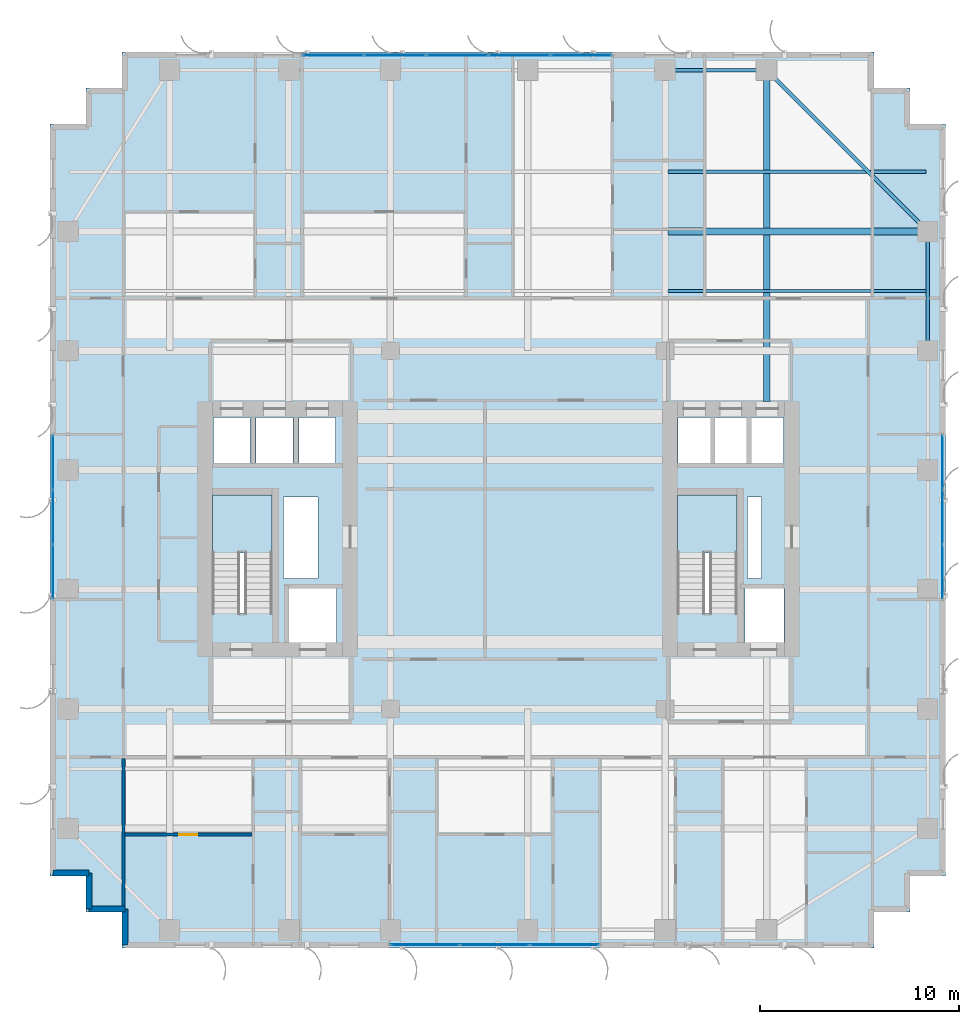
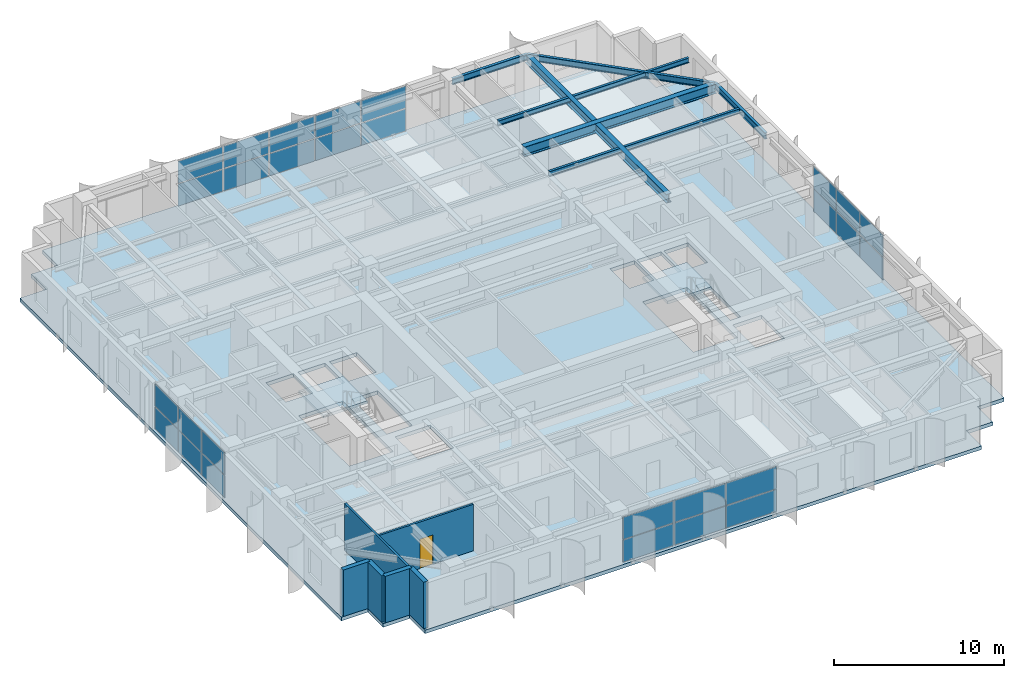
# One storey, part 12 of 22: 28 plates, 7 beams, 6 walls, 3 slabs, 1 door, 1 opening, 6 elements without a shape of their own.
"""IFC4 building model written with IfcOpenShell, lengths in metres."""

from ifc_helpers import new_model, si_unit, direction, frame, frame_2d, origin, origin_2d, place, context, subcontext, project, spatial, polyline, rectangle, i_section, outline, extrude, source, transform, mapped, material, layer, layer_set, material_profile, profile_set, type_object, element, fill, aggregate, save


model = new_model("IFC4")

# Units and contexts
model_context = context("Model", 3, precision=1e-05, world=origin(), true_north=direction((0.0, 1.0)))
body_context = subcontext(model_context, "Body", "Model", "MODEL_VIEW")
ifc_project = project(units=[si_unit("LENGTHUNIT", "METRE"), si_unit("AREAUNIT", "SQUARE_METRE"), si_unit("VOLUMEUNIT", "CUBIC_METRE"), si_unit("PLANEANGLEUNIT", "RADIAN"), si_unit("MASSUNIT", "GRAM", prefix="KILO")], contexts=[model_context])

# Site, building, storey
site_placement = place(None, origin())
site = spatial("IfcSite", under=ifc_project, at=site_placement, CompositionType="ELEMENT")
building_placement = place(site_placement, origin())
building = spatial("IfcBuilding", under=site, at=building_placement, Name="Khoralis Quay Care Tower", CompositionType="ELEMENT")
storey_placement = place(building_placement, frame((0.0, 0.0, 98.10009765625)))
storey = spatial("IfcBuildingStorey", under=building, at=storey_placement, Name="L25", CompositionType="ELEMENT", Elevation=98.10009765625)

# Beams
ifc_material_1 = material(Name="Steel S355", Category="steel")
ifc_material_profile_1 = material_profile(ifc_material_1, i_section(OverallWidth=0.18994140625, OverallDepth=0.449951171875, WebThickness=0.009521484375, FlangeThickness=0.0146484375, FilletRadius=0.02099609375, at=origin_2d()), Name="Steel S355")
ifc_profile_set_1 = profile_set([ifc_material_profile_1], Name="Steel S355")
beam_type_1 = type_object("IfcBeamType", Name="BM-IPE450", PredefinedType="SPANDREL", material=ifc_profile_set_1)
shared_shape_1 = source(origin(), body_context, "Body", "SweptSolid", [
    extrude(i_section(OverallWidth=0.18994140625, OverallDepth=0.449951171875, WebThickness=0.009521484375, FlangeThickness=0.0146484375, FilletRadius=0.02099609375, at=origin_2d()), origin(), (0.0, 0.0, 1.0), 6.0),
])
beam_1_placement = place(storey_placement, frame((44.10009765625, 30.0, 3.114990234375), z_axis=(0.0, 1.0, 0.0), x_axis=(-1.0, 0.0, 0.0)))
element("IfcBeam", 1, at=beam_1_placement, inside=storey, type_object=beam_type_1, Name="BM-TSP-L25-20", PredefinedType="SPANDREL", context=body_context, shape_type="MappedRepresentation", body=[
    mapped(shared_shape_1, transform((0.0, 0.0, 0.0), scale=1.0)),
])
shared_shape_2 = source(origin(), body_context, "Body", "SweptSolid", [
    extrude(i_section(OverallWidth=0.18994140625, OverallDepth=0.449951171875, WebThickness=0.009521484375, FlangeThickness=0.0146484375, FilletRadius=0.02099609375, at=origin_2d()), origin(), (0.0, 0.0, 1.0), 5.10009765625),
])
beam_2_placement = place(storey_placement, frame((30.89990234375, 44.10009765625, 3.114990234375), z_axis=(1.0, 0.0, 0.0), x_axis=(0.0, 1.0, 0.0)))
element("IfcBeam", 2, at=beam_2_placement, inside=storey, type_object=beam_type_1, Name="BM-TSP-L25-10", PredefinedType="SPANDREL", context=body_context, shape_type="MappedRepresentation", body=[
    mapped(shared_shape_2, transform((0.0, 0.0, 0.0), scale=1.0)),
])
shared_shape_3 = source(origin(), body_context, "Body", "SweptSolid", [
    extrude(i_section(OverallWidth=0.18994140625, OverallDepth=0.449951171875, WebThickness=0.009521484375, FlangeThickness=0.0146484375, FilletRadius=0.02099609375, at=origin_2d()), origin(), (0.0, 0.0, 1.0), 11.455322265625),
])
beam_3_placement = place(storey_placement, frame((36.0, 44.10009765625, 3.114990234375), z_axis=(0.707106781187, -0.707106781187, 0.0), x_axis=(0.707106781187, 0.707106781187, 0.0)))
element("IfcBeam", 3, at=beam_3_placement, inside=storey, type_object=beam_type_1, Name="BM-TCR-L25-24", PredefinedType="SPANDREL", context=body_context, shape_type="MappedRepresentation", body=[
    mapped(shared_shape_3, transform((0.0, 0.0, 0.0), scale=1.0)),
])
ifc_material_profile_2 = material_profile(ifc_material_1, i_section(OverallWidth=0.35498046875, OverallDepth=0.695068359375, WebThickness=0.015380859375, FlangeThickness=0.02490234375, FilletRadius=0.02001953125, at=origin_2d()), Name="Steel S355")
ifc_profile_set_2 = profile_set([ifc_material_profile_2], Name="Steel S355")
beam_type_2 = type_object("IfcBeamType", Name="BM-W690X217", PredefinedType="BEAM", material=ifc_profile_set_2)
shared_shape_4 = source(origin(), body_context, "Body", "SweptSolid", [
    extrude(i_section(OverallWidth=0.35498046875, OverallDepth=0.695068359375, WebThickness=0.015380859375, FlangeThickness=0.02490234375, FilletRadius=0.02001953125, at=origin_2d()), origin(), (0.0, 0.0, 1.0), 13.049560546875),
])
beam_4_placement = place(storey_placement, frame((31.050537109375, 36.0, 2.992431640625), z_axis=(1.0, 0.0, 0.0), x_axis=(0.0, 1.0, 0.0)))
element("IfcBeam", 4, at=beam_4_placement, inside=storey, type_object=beam_type_2, Name="BM-TGXE-L25-360", PredefinedType="BEAM", context=body_context, shape_type="MappedRepresentation", body=[
    mapped(shared_shape_4, transform((0.0, 0.0, 0.0), scale=1.0)),
])
ifc_material_profile_3 = material_profile(ifc_material_1, i_section(OverallWidth=0.324951171875, OverallDepth=0.615966796875, WebThickness=0.013916015625, FlangeThickness=0.021484375, FilletRadius=0.01806640625, at=origin_2d()), Name="Steel S355")
ifc_profile_set_3 = profile_set([ifc_material_profile_3], Name="Steel S355")
beam_type_3 = type_object("IfcBeamType", Name="BM-W610X174", PredefinedType="BEAM", material=ifc_profile_set_3)
shared_shape_5 = source(origin(), body_context, "Body", "SweptSolid", [
    extrude(i_section(OverallWidth=0.324951171875, OverallDepth=0.615966796875, WebThickness=0.013916015625, FlangeThickness=0.021484375, FilletRadius=0.01806640625, at=origin_2d()), origin(), (0.0, 0.0, 1.0), 16.652099609375),
])
beam_5_placement = place(storey_placement, frame((36.0, 27.447998046875, 3.031982421875), z_axis=(0.0, 1.0, 0.0), x_axis=(-1.0, 0.0, 0.0)))
element("IfcBeam", 5, at=beam_5_placement, inside=storey, type_object=beam_type_3, Name="BM-TGYN-L25-360", PredefinedType="BEAM", context=body_context, shape_type="MappedRepresentation", body=[
    mapped(shared_shape_5, transform((0.0, 0.0, 0.0), scale=1.0)),
])
ifc_material_profile_4 = material_profile(ifc_material_1, i_section(OverallWidth=0.1708984375, OverallDepth=0.35498046875, WebThickness=0.007080078125, FlangeThickness=0.01171875, FilletRadius=0.012939453125, at=origin_2d()), Name="Steel S355")
ifc_profile_set_4 = profile_set([ifc_material_profile_4], Name="Steel S355")
beam_type_4 = type_object("IfcBeamType", Name="BM-W360X51", PredefinedType="JOIST", material=ifc_profile_set_4)
shared_shape_6 = source(origin(), body_context, "Body", "SweptSolid", [
    extrude(i_section(OverallWidth=0.1708984375, OverallDepth=0.35498046875, WebThickness=0.007080078125, FlangeThickness=0.01171875, FilletRadius=0.012939453125, at=origin_2d()), origin(), (0.0, 0.0, 1.0), 12.968505859375),
])
for number, where, z_axis, x_axis, name in (
    (6, (31.050537109375, 33.0, 3.162353515625), (1.0, 0.0, 0.0), (0.0, 1.0, 0.0), "BM-TJS-L25-29"),
    (7, (31.050537109375, 39.0, 3.162353515625), (1.0, 0.0, 0.0), (0.0, 1.0, 0.0), "BM-TJS-L25-32"),
):
    element("IfcBeam", number, at=place(storey_placement, frame(where, z_axis=z_axis, x_axis=x_axis)), inside=storey, type_object=beam_type_4, Name=name, PredefinedType="JOIST", context=body_context, shape_type="MappedRepresentation", body=[
        mapped(shared_shape_6, transform((0.0, 0.0, 0.0), scale=1.0)),
    ])

# Stair, slab
ifc_material_2 = material(Name="Precast concrete C45/55", Category="concrete")
stair_type = type_object("IfcStairType", Name="ST-TWR-DOGLEG-1400", PredefinedType="HALF_TURN_STAIR", material=ifc_material_2)
stair_1_placement = place(storey_placement, origin())
stair_1 = element("IfcStair", 8, at=stair_1_placement, inside=storey, type_object=stair_type, Name="L25 West Core Exit Stair ST-T1", PredefinedType="HALF_TURN_STAIR")
ifc_layer_1 = layer(ifc_material_2, 0.199951171875)
ifc_layer_set_1 = layer_set([ifc_layer_1], Name="Precast concrete C45/55")
slab_type_1 = type_object("IfcSlabType", Name="SLB-LANDING-200", PredefinedType="LANDING", material=ifc_layer_set_1)
slab_1_placement = place(storey_placement, frame((0.0, 0.0, 1.599853515625)))
slab_1 = element("IfcSlab", 9, at=slab_1_placement, type_object=slab_type_1, Name="ST-T1 landing 1", PredefinedType="LANDING", context=body_context, shape_type="SweptSolid", body=[
    extrude(outline(polyline([(11.14990234375, 19.840087890625), (11.14990234375, 22.75), (8.14990234375, 22.75), (8.14990234375, 19.840087890625), (11.14990234375, 19.840087890625)])), origin(), (0.0, 0.0, 1.0), 0.199951171875),
])
aggregate(stair_1, [slab_1])

stair_2_placement = place(storey_placement, origin())
stair_2 = element("IfcStair", 10, at=stair_2_placement, inside=storey, type_object=stair_type, Name="L25 East Core Exit Stair ST-T2", PredefinedType="HALF_TURN_STAIR")
slab_2_placement = place(storey_placement, frame((0.0, 0.0, 1.599853515625)))
slab_2 = element("IfcSlab", 11, at=slab_2_placement, type_object=slab_type_1, Name="ST-T2 landing 1", PredefinedType="LANDING", context=body_context, shape_type="SweptSolid", body=[
    extrude(outline(polyline([(34.52001953125, 19.840087890625), (34.52001953125, 22.75), (31.52001953125, 22.75), (31.52001953125, 19.840087890625), (34.52001953125, 19.840087890625)])), origin(), (0.0, 0.0, 1.0), 0.199951171875),
])
aggregate(stair_2, [slab_2])

# Slab
ifc_material_3 = material(Name="Concrete C40/50", Category="concrete")
ifc_layer_2 = layer(ifc_material_3, 0.260009765625)
ifc_layer_set_2 = layer_set([ifc_layer_2], Name="Concrete C40/50")
slab_type_2 = type_object("IfcSlabType", Name="SLB-TWR-260", PredefinedType="FLOOR", material=ifc_layer_set_2)
slab_3_placement = place(storey_placement, frame((0.0, 0.0, -0.260009765625)))
element("IfcSlab", 12, at=slab_3_placement, inside=storey, type_object=slab_type_2, Name="Tower Floor Slab L25", PredefinedType="FLOOR", context=body_context, shape_type="SweptSolid", body=[
    extrude(outline(polyline([(3.60009765625, 0.0), (41.39990234375, 0.0), (41.39990234375, 1.800048828125), (43.199951171875, 1.800048828125), (43.199951171875, 3.60009765625), (45.0, 3.60009765625), (45.0, 41.39990234375), (43.199951171875, 41.39990234375), (43.199951171875, 43.199951171875), (41.39990234375, 43.199951171875), (41.39990234375, 45.0), (3.60009765625, 45.0), (3.60009765625, 43.199951171875), (1.800048828125, 43.199951171875), (1.800048828125, 41.39990234375), (0.0, 41.39990234375), (0.0, 3.60009765625), (1.800048828125, 3.60009765625), (1.800048828125, 1.800048828125), (3.60009765625, 1.800048828125), (3.60009765625, 0.0)]), holes=[polyline([(11.14990234375, 16.800048828125), (11.14990234375, 22.75), (8.14990234375, 22.75), (8.14990234375, 16.800048828125), (11.14990234375, 16.800048828125)]), polyline([(34.52001953125, 16.800048828125), (34.52001953125, 22.75), (31.52001953125, 22.75), (31.52001953125, 16.800048828125), (34.52001953125, 16.800048828125)]), polyline([(12.0, 15.35009765625), (14.39990234375, 15.35009765625), (14.39990234375, 18.050048828125), (12.0, 18.050048828125), (12.0, 15.35009765625)]), polyline([(34.919921875, 15.35009765625), (36.8798828125, 15.35009765625), (36.8798828125, 18.050048828125), (34.919921875, 18.050048828125), (34.919921875, 15.35009765625)]), polyline([(8.199951171875, 24.35009765625), (10.050048828125, 24.35009765625), (10.050048828125, 26.64990234375), (8.199951171875, 26.64990234375), (8.199951171875, 24.35009765625)]), polyline([(31.550048828125, 24.35009765625), (33.199951171875, 24.35009765625), (33.199951171875, 26.64990234375), (31.550048828125, 26.64990234375), (31.550048828125, 24.35009765625)]), polyline([(10.35009765625, 24.35009765625), (12.199951171875, 24.35009765625), (12.199951171875, 26.64990234375), (10.35009765625, 26.64990234375), (10.35009765625, 24.35009765625)]), polyline([(33.3798828125, 24.35009765625), (35.030029296875, 24.35009765625), (35.030029296875, 26.64990234375), (33.3798828125, 26.64990234375), (33.3798828125, 24.35009765625)]), polyline([(12.5, 24.35009765625), (14.35009765625, 24.35009765625), (14.35009765625, 26.64990234375), (12.5, 26.64990234375), (12.5, 24.35009765625)]), polyline([(35.199951171875, 24.35009765625), (36.85009765625, 24.35009765625), (36.85009765625, 26.64990234375), (35.199951171875, 26.64990234375), (35.199951171875, 24.35009765625)]), polyline([(11.719970703125, 18.550048828125), (13.449951171875, 18.550048828125), (13.449951171875, 22.64990234375), (11.719970703125, 22.64990234375), (11.719970703125, 18.550048828125)]), polyline([(35.050048828125, 18.550048828125), (35.75, 18.550048828125), (35.75, 22.64990234375), (35.050048828125, 22.64990234375), (35.050048828125, 18.550048828125)])]), origin(), (0.0, 0.0, 1.0), 0.260009765625),
])

# Curtain wall, plates
ifc_material_4 = material(Name="Pale anodised aluminium", Category="aluminium")
ifc_layer_3 = layer(ifc_material_4, 0.169921875)
ifc_layer_set_3 = layer_set([ifc_layer_3], Name="Pale anodised aluminium")
curtain_wall_type = type_object("IfcCurtainWallType", Name="CW-SYS-Z2", PredefinedType="NOTDEFINED", material=ifc_layer_set_3)
curtain_wall_1_placement = place(storey_placement, origin())
curtain_wall_1 = element("IfcCurtainWall", 13, at=curtain_wall_1_placement, inside=storey, type_object=curtain_wall_type, Name="L25 Unitised Curtain Wall CW-L25-P1-E5", PredefinedType="NOTDEFINED")
ifc_material_5 = material(Name="Low-E solar-control double glazing", Category="glass")
ifc_layer_4 = layer(ifc_material_5, 0.031982421875)
ifc_layer_set_4 = layer_set([ifc_layer_4], Name="Low-E solar-control double glazing")
plate_type = type_object("IfcPlateType", Name="PNL-VIS-32", PredefinedType="CURTAIN_PANEL", material=ifc_layer_set_4)
shared_shape_7 = source(origin(), body_context, "Body", "SweptSolid", [
    extrude(rectangle(XDim=2.6767578125, YDim=0.028076171875, at=origin_2d()), origin(), (0.0, 0.0, 1.0), 1.580078125),
])
plate_1_placement = place(storey_placement, frame((44.85009765625, 18.8984375, 0.059814453125), z_axis=(0.0, 0.0, 1.0), x_axis=(0.0, 1.0, 0.0)))
plate_1 = element("IfcPlate", 14, at=plate_1_placement, type_object=plate_type, Name="CW2 panel 1.1", PredefinedType="CURTAIN_PANEL", context=body_context, shape_type="MappedRepresentation", body=[
    mapped(shared_shape_7, transform((0.0, 0.0, 0.0), scale=1.0)),
])
plate_2_placement = place(storey_placement, frame((44.85009765625, 18.8984375, 1.699951171875), z_axis=(0.0, 0.0, 1.0), x_axis=(0.0, 1.0, 0.0)))
plate_2 = element("IfcPlate", 15, at=plate_2_placement, type_object=plate_type, Name="CW2 panel 1.2", PredefinedType="CURTAIN_PANEL", context=body_context, shape_type="MappedRepresentation", body=[
    mapped(shared_shape_7, transform((0.0, 0.0, 0.0), scale=1.0)),
])
plate_3_placement = place(storey_placement, frame((44.85009765625, 24.401611328125, 0.059814453125), z_axis=(0.0, 0.0, 1.0), x_axis=(0.0, 1.0, 0.0)))
plate_3 = element("IfcPlate", 16, at=plate_3_placement, type_object=plate_type, Name="CW2 panel 3.1", PredefinedType="CURTAIN_PANEL", context=body_context, shape_type="MappedRepresentation", body=[
    mapped(shared_shape_7, transform((0.0, 0.0, 0.0), scale=1.0)),
])
plate_4_placement = place(storey_placement, frame((44.85009765625, 24.401611328125, 1.699951171875), z_axis=(0.0, 0.0, 1.0), x_axis=(0.0, 1.0, 0.0)))
plate_4 = element("IfcPlate", 17, at=plate_4_placement, type_object=plate_type, Name="CW2 panel 3.2", PredefinedType="CURTAIN_PANEL", context=body_context, shape_type="MappedRepresentation", body=[
    mapped(shared_shape_7, transform((0.0, 0.0, 0.0), scale=1.0)),
])

curtain_wall_2_placement = place(storey_placement, origin())
curtain_wall_2 = element("IfcCurtainWall", 18, at=curtain_wall_2_placement, inside=storey, type_object=curtain_wall_type, Name="L25 Unitised Curtain Wall CW-L25-P1-E15", PredefinedType="NOTDEFINED")
plate_5_placement = place(storey_placement, frame((0.14990234375, 24.401611328125, 0.059814453125), z_axis=(0.0, 0.0, 1.0), x_axis=(0.0, -1.0, 0.0)))
plate_5 = element("IfcPlate", 19, at=plate_5_placement, type_object=plate_type, Name="CW2 panel 1.1", PredefinedType="CURTAIN_PANEL", context=body_context, shape_type="MappedRepresentation", body=[
    mapped(shared_shape_7, transform((0.0, 0.0, 0.0), scale=1.0)),
])
plate_6_placement = place(storey_placement, frame((0.14990234375, 24.401611328125, 1.699951171875), z_axis=(0.0, 0.0, 1.0), x_axis=(0.0, -1.0, 0.0)))
plate_6 = element("IfcPlate", 20, at=plate_6_placement, type_object=plate_type, Name="CW2 panel 1.2", PredefinedType="CURTAIN_PANEL", context=body_context, shape_type="MappedRepresentation", body=[
    mapped(shared_shape_7, transform((0.0, 0.0, 0.0), scale=1.0)),
])
plate_7_placement = place(storey_placement, frame((0.14990234375, 18.8984375, 0.059814453125), z_axis=(0.0, 0.0, 1.0), x_axis=(0.0, -1.0, 0.0)))
plate_7 = element("IfcPlate", 21, at=plate_7_placement, type_object=plate_type, Name="CW2 panel 3.1", PredefinedType="CURTAIN_PANEL", context=body_context, shape_type="MappedRepresentation", body=[
    mapped(shared_shape_7, transform((0.0, 0.0, 0.0), scale=1.0)),
])
plate_8_placement = place(storey_placement, frame((0.14990234375, 18.8984375, 1.699951171875), z_axis=(0.0, 0.0, 1.0), x_axis=(0.0, -1.0, 0.0)))
plate_8 = element("IfcPlate", 22, at=plate_8_placement, type_object=plate_type, Name="CW2 panel 3.2", PredefinedType="CURTAIN_PANEL", context=body_context, shape_type="MappedRepresentation", body=[
    mapped(shared_shape_7, transform((0.0, 0.0, 0.0), scale=1.0)),
])

# Plate
shared_shape_8 = source(origin(), body_context, "Body", "SweptSolid", [
    extrude(rectangle(XDim=2.706787109375, YDim=0.028076171875, at=origin_2d()), origin(), (0.0, 0.0, 1.0), 1.580078125),
])
plate_9_placement = place(storey_placement, frame((44.85009765625, 21.64990234375, 0.059814453125), z_axis=(0.0, 0.0, 1.0), x_axis=(0.0, 1.0, 0.0)))
plate_9 = element("IfcPlate", 23, at=plate_9_placement, type_object=plate_type, Name="CW2 panel 2.1", PredefinedType="CURTAIN_PANEL", context=body_context, shape_type="MappedRepresentation", body=[
    mapped(shared_shape_8, transform((0.0, 0.0, 0.0), scale=1.0)),
])

plate_10_placement = place(storey_placement, frame((44.85009765625, 21.64990234375, 1.699951171875), z_axis=(0.0, 0.0, 1.0), x_axis=(0.0, 1.0, 0.0)))
plate_10 = element("IfcPlate", 24, at=plate_10_placement, type_object=plate_type, Name="CW2 panel 2.2", PredefinedType="CURTAIN_PANEL", context=body_context, shape_type="MappedRepresentation", body=[
    mapped(shared_shape_8, transform((0.0, 0.0, 0.0), scale=1.0)),
])

aggregate(curtain_wall_1, [plate_1, plate_2, plate_9, plate_10, plate_3, plate_4])

plate_11_placement = place(storey_placement, frame((0.14990234375, 21.64990234375, 0.059814453125), z_axis=(0.0, 0.0, 1.0), x_axis=(0.0, -1.0, 0.0)))
plate_11 = element("IfcPlate", 25, at=plate_11_placement, type_object=plate_type, Name="CW2 panel 2.1", PredefinedType="CURTAIN_PANEL", context=body_context, shape_type="MappedRepresentation", body=[
    mapped(shared_shape_8, transform((0.0, 0.0, 0.0), scale=1.0)),
])

plate_12_placement = place(storey_placement, frame((0.14990234375, 21.64990234375, 1.699951171875), z_axis=(0.0, 0.0, 1.0), x_axis=(0.0, -1.0, 0.0)))
plate_12 = element("IfcPlate", 26, at=plate_12_placement, type_object=plate_type, Name="CW2 panel 2.2", PredefinedType="CURTAIN_PANEL", context=body_context, shape_type="MappedRepresentation", body=[
    mapped(shared_shape_8, transform((0.0, 0.0, 0.0), scale=1.0)),
])

aggregate(curtain_wall_2, [plate_5, plate_6, plate_11, plate_12, plate_7, plate_8])

# Curtain wall, plates
curtain_wall_3_placement = place(storey_placement, origin())
curtain_wall_3 = element("IfcCurtainWall", 27, at=curtain_wall_3_placement, inside=storey, type_object=curtain_wall_type, Name="L25 Unitised Curtain Wall CW-L25-P1-E0", PredefinedType="NOTDEFINED")
shared_shape_9 = source(origin(), body_context, "Body", "SweptSolid", [
    extrude(rectangle(XDim=3.429931640625, YDim=0.028076171875, at=origin_2d()), origin(), (0.0, 0.0, 1.0), 1.580078125),
])
plate_13_placement = place(storey_placement, frame((18.8349609375, 0.14990234375, 0.059814453125), z_axis=(0.0, 0.0, 1.0), x_axis=(1.0, 0.0, 0.0)))
plate_13 = element("IfcPlate", 28, at=plate_13_placement, type_object=plate_type, Name="CW2 panel 1.1", PredefinedType="CURTAIN_PANEL", context=body_context, shape_type="MappedRepresentation", body=[
    mapped(shared_shape_9, transform((0.0, 0.0, 0.0), scale=1.0)),
])
plate_14_placement = place(storey_placement, frame((18.8349609375, 0.14990234375, 1.699951171875), z_axis=(0.0, 0.0, 1.0), x_axis=(1.0, 0.0, 0.0)))
plate_14 = element("IfcPlate", 29, at=plate_14_placement, type_object=plate_type, Name="CW2 panel 1.2", PredefinedType="CURTAIN_PANEL", context=body_context, shape_type="MappedRepresentation", body=[
    mapped(shared_shape_9, transform((0.0, 0.0, 0.0), scale=1.0)),
])
plate_15_placement = place(storey_placement, frame((25.844970703125, 0.14990234375, 0.059814453125), z_axis=(0.0, 0.0, 1.0), x_axis=(1.0, 0.0, 0.0)))
plate_15 = element("IfcPlate", 30, at=plate_15_placement, type_object=plate_type, Name="CW2 panel 3.1", PredefinedType="CURTAIN_PANEL", context=body_context, shape_type="MappedRepresentation", body=[
    mapped(shared_shape_9, transform((0.0, 0.0, 0.0), scale=1.0)),
])
plate_16_placement = place(storey_placement, frame((25.844970703125, 0.14990234375, 1.699951171875), z_axis=(0.0, 0.0, 1.0), x_axis=(1.0, 0.0, 0.0)))
plate_16 = element("IfcPlate", 31, at=plate_16_placement, type_object=plate_type, Name="CW2 panel 3.2", PredefinedType="CURTAIN_PANEL", context=body_context, shape_type="MappedRepresentation", body=[
    mapped(shared_shape_9, transform((0.0, 0.0, 0.0), scale=1.0)),
])
shared_shape_10 = source(origin(), body_context, "Body", "SweptSolid", [
    extrude(rectangle(XDim=3.4599609375, YDim=0.028076171875, at=origin_2d()), origin(), (0.0, 0.0, 1.0), 1.580078125),
])
plate_17_placement = place(storey_placement, frame((22.340087890625, 0.14990234375, 0.059814453125), z_axis=(0.0, 0.0, 1.0), x_axis=(1.0, 0.0, 0.0)))
plate_17 = element("IfcPlate", 32, at=plate_17_placement, type_object=plate_type, Name="CW2 panel 2.1", PredefinedType="CURTAIN_PANEL", context=body_context, shape_type="MappedRepresentation", body=[
    mapped(shared_shape_10, transform((0.0, 0.0, 0.0), scale=1.0)),
])
plate_18_placement = place(storey_placement, frame((22.340087890625, 0.14990234375, 1.699951171875), z_axis=(0.0, 0.0, 1.0), x_axis=(1.0, 0.0, 0.0)))
plate_18 = element("IfcPlate", 33, at=plate_18_placement, type_object=plate_type, Name="CW2 panel 2.2", PredefinedType="CURTAIN_PANEL", context=body_context, shape_type="MappedRepresentation", body=[
    mapped(shared_shape_10, transform((0.0, 0.0, 0.0), scale=1.0)),
])
aggregate(curtain_wall_3, [plate_13, plate_14, plate_17, plate_18, plate_15, plate_16])

curtain_wall_4_placement = place(storey_placement, origin())
curtain_wall_4 = element("IfcCurtainWall", 34, at=curtain_wall_4_placement, inside=storey, type_object=curtain_wall_type, Name="L25 Unitised Curtain Wall CW-L25-P1-E10", PredefinedType="NOTDEFINED")
shared_shape_11 = source(origin(), body_context, "Body", "SweptSolid", [
    extrude(rectangle(XDim=3.029541015625, YDim=0.028076171875, at=origin_2d()), origin(), (0.0, 0.0, 1.0), 1.580078125),
])
plate_19_placement = place(storey_placement, frame((26.68310546875, 44.85009765625, 0.059814453125), z_axis=(0.0, 0.0, 1.0), x_axis=(-1.0, 0.0, 0.0)))
plate_19 = element("IfcPlate", 35, at=plate_19_placement, type_object=plate_type, Name="CW2 panel 1.1", PredefinedType="CURTAIN_PANEL", context=body_context, shape_type="MappedRepresentation", body=[
    mapped(shared_shape_11, transform((0.0, 0.0, 0.0), scale=1.0)),
])
plate_20_placement = place(storey_placement, frame((26.68310546875, 44.85009765625, 1.699951171875), z_axis=(0.0, 0.0, 1.0), x_axis=(-1.0, 0.0, 0.0)))
plate_20 = element("IfcPlate", 36, at=plate_20_placement, type_object=plate_type, Name="CW2 panel 1.2", PredefinedType="CURTAIN_PANEL", context=body_context, shape_type="MappedRepresentation", body=[
    mapped(shared_shape_11, transform((0.0, 0.0, 0.0), scale=1.0)),
])
plate_21_placement = place(storey_placement, frame((14.23486328125, 44.85009765625, 0.059814453125), z_axis=(0.0, 0.0, 1.0), x_axis=(-1.0, 0.0, 0.0)))
plate_21 = element("IfcPlate", 37, at=plate_21_placement, type_object=plate_type, Name="CW2 panel 5.1", PredefinedType="CURTAIN_PANEL", context=body_context, shape_type="MappedRepresentation", body=[
    mapped(shared_shape_11, transform((0.0, 0.0, 0.0), scale=1.0)),
])
plate_22_placement = place(storey_placement, frame((14.23486328125, 44.85009765625, 1.699951171875), z_axis=(0.0, 0.0, 1.0), x_axis=(-1.0, 0.0, 0.0)))
plate_22 = element("IfcPlate", 38, at=plate_22_placement, type_object=plate_type, Name="CW2 panel 5.2", PredefinedType="CURTAIN_PANEL", context=body_context, shape_type="MappedRepresentation", body=[
    mapped(shared_shape_11, transform((0.0, 0.0, 0.0), scale=1.0)),
])
shared_shape_12 = source(origin(), body_context, "Body", "SweptSolid", [
    extrude(rectangle(XDim=3.0595703125, YDim=0.028076171875, at=origin_2d()), origin(), (0.0, 0.0, 1.0), 1.580078125),
])
plate_23_placement = place(storey_placement, frame((23.57861328125, 44.85009765625, 0.059814453125), z_axis=(0.0, 0.0, 1.0), x_axis=(-1.0, 0.0, 0.0)))
plate_23 = element("IfcPlate", 39, at=plate_23_placement, type_object=plate_type, Name="CW2 panel 2.1", PredefinedType="CURTAIN_PANEL", context=body_context, shape_type="MappedRepresentation", body=[
    mapped(shared_shape_12, transform((0.0, 0.0, 0.0), scale=1.0)),
])
plate_24_placement = place(storey_placement, frame((23.57861328125, 44.85009765625, 1.699951171875), z_axis=(0.0, 0.0, 1.0), x_axis=(-1.0, 0.0, 0.0)))
plate_24 = element("IfcPlate", 40, at=plate_24_placement, type_object=plate_type, Name="CW2 panel 2.2", PredefinedType="CURTAIN_PANEL", context=body_context, shape_type="MappedRepresentation", body=[
    mapped(shared_shape_12, transform((0.0, 0.0, 0.0), scale=1.0)),
])
plate_25_placement = place(storey_placement, frame((20.458984375, 44.85009765625, 0.059814453125), z_axis=(0.0, 0.0, 1.0), x_axis=(-1.0, 0.0, 0.0)))
plate_25 = element("IfcPlate", 41, at=plate_25_placement, type_object=plate_type, Name="CW2 panel 3.1", PredefinedType="CURTAIN_PANEL", context=body_context, shape_type="MappedRepresentation", body=[
    mapped(shared_shape_12, transform((0.0, 0.0, 0.0), scale=1.0)),
])
plate_26_placement = place(storey_placement, frame((20.458984375, 44.85009765625, 1.699951171875), z_axis=(0.0, 0.0, 1.0), x_axis=(-1.0, 0.0, 0.0)))
plate_26 = element("IfcPlate", 42, at=plate_26_placement, type_object=plate_type, Name="CW2 panel 3.2", PredefinedType="CURTAIN_PANEL", context=body_context, shape_type="MappedRepresentation", body=[
    mapped(shared_shape_12, transform((0.0, 0.0, 0.0), scale=1.0)),
])
plate_27_placement = place(storey_placement, frame((17.33935546875, 44.85009765625, 0.059814453125), z_axis=(0.0, 0.0, 1.0), x_axis=(-1.0, 0.0, 0.0)))
plate_27 = element("IfcPlate", 43, at=plate_27_placement, type_object=plate_type, Name="CW2 panel 4.1", PredefinedType="CURTAIN_PANEL", context=body_context, shape_type="MappedRepresentation", body=[
    mapped(shared_shape_12, transform((0.0, 0.0, 0.0), scale=1.0)),
])
plate_28_placement = place(storey_placement, frame((17.33935546875, 44.85009765625, 1.699951171875), z_axis=(0.0, 0.0, 1.0), x_axis=(-1.0, 0.0, 0.0)))
plate_28 = element("IfcPlate", 44, at=plate_28_placement, type_object=plate_type, Name="CW2 panel 4.2", PredefinedType="CURTAIN_PANEL", context=body_context, shape_type="MappedRepresentation", body=[
    mapped(shared_shape_12, transform((0.0, 0.0, 0.0), scale=1.0)),
])
aggregate(curtain_wall_4, [plate_19, plate_20, plate_23, plate_24, plate_25, plate_26, plate_27, plate_28, plate_21, plate_22])

# Walls
ifc_layer_5 = layer(ifc_material_2, 0.300048828125)
ifc_layer_set_5 = layer_set([ifc_layer_5], Name="Precast concrete C45/55")
wall_type_1 = type_object("IfcWallType", Name="WL-EXT-REF-300", PredefinedType="SOLIDWALL", material=ifc_layer_set_5)
for number, where, z_axis, x_axis, name in (
    (45, (0.14990234375, 3.75, 0.0), (0.0, 0.0, 1.0), (1.0, 0.0, 0.0), "L25 External Facade Wall WL-EXT-L25-P1-C16"),
    (46, (1.949951171875, 3.75, 0.0), (0.0, 0.0, 1.0), (0.0, -1.0, 0.0), "L25 External Facade Wall WL-EXT-L25-P1-C17"),
    (47, (1.949951171875, 1.949951171875, 0.0), (0.0, 0.0, 1.0), (1.0, 0.0, 0.0), "L25 External Facade Wall WL-EXT-L25-P1-C18"),
    (48, (3.75, 1.949951171875, 0.0), (0.0, 0.0, 1.0), (0.0, -1.0, 0.0), "L25 External Facade Wall WL-EXT-L25-P1-C19"),
):
    element("IfcWall", number, at=place(storey_placement, frame(where, z_axis=z_axis, x_axis=x_axis)), inside=storey, type_object=wall_type_1, Name=name, PredefinedType="SOLIDWALL", context=body_context, shape_type="SweptSolid", body=[
        extrude(rectangle(XDim=1.800048828125, YDim=0.300048828125, at=frame_2d((0.89990234375, 0.0))), origin(), (0.0, 0.0, 1.0), 3.33984375),
    ])
ifc_material_6 = material(Name="Gypsum plasterboard on acoustic metal stud")
ifc_layer_6 = layer(ifc_material_6, 0.139892578125)
ifc_layer_set_6 = layer_set([ifc_layer_6], Name="Gypsum plasterboard on acoustic metal stud")
wall_type_2 = type_object("IfcWallType", Name="WL-UNIT-140", PredefinedType="PARTITIONING", material=ifc_layer_set_6)
wall_1_placement = place(storey_placement, frame((3.679931640625, 1.945068359375, 0.0), z_axis=(0.0, 0.0, 1.0), x_axis=(0.0, 1.0, 0.0)))
element("IfcWall", 49, at=wall_1_placement, inside=storey, type_object=wall_type_2, Name="L25 SB Demising Wall 0", PredefinedType="PARTITIONING", context=body_context, shape_type="SweptSolid", body=[
    extrude(rectangle(XDim=7.557373046875, YDim=0.139892578125, at=frame_2d((3.77880859375, 0.0))), origin(), (0.0, 0.0, 1.0), 3.33984375),
])

# Wall, opening, door
wall_2_placement = place(storey_placement, frame((3.7451171875, 5.68994140625, 0.0), z_axis=(0.0, 0.0, 1.0), x_axis=(1.0, 0.0, 0.0)))
wall_2 = element("IfcWall", 50, at=wall_2_placement, inside=storey, type_object=wall_type_2, Name="Skilled Care Bedroom L25-SB0 Sub-Partition", PredefinedType="PARTITIONING", context=body_context, shape_type="SweptSolid", body=[
    extrude(rectangle(XDim=6.39990234375, YDim=0.139892578125, at=frame_2d((3.199951171875, 0.0))), origin(), (0.0, 0.0, 1.0), 3.33984375),
])
opening_placement = place(wall_2_placement, frame((2.75, 0.0, 0.0)))
opening = element("IfcOpeningElement", 51, at=opening_placement, cuts=wall_2, Name="Opening WD1", PredefinedType="OPENING", context=body_context, shape_type="SweptSolid", body=[
    extrude(rectangle(XDim=0.89990234375, YDim=2.10009765625, at=frame_2d((0.449951171875, 1.050048828125))), frame((0.0, 0.080078125, 0.0), z_axis=(0.0, -1.0, 0.0), x_axis=(1.0, 0.0, 0.0)), (0.0, 0.0, 1.0), 0.159912109375),
])
ifc_material_7 = material(Name="Acoustic hardwood timber", Category="wood")
door_type = type_object("IfcDoorType", Name="DR-BATH-900X2100", OperationType="NOTDEFINED", PredefinedType="DOOR", material=ifc_material_7)
shared_shape_13 = source(origin(), body_context, "Body", "SweptSolid", [
    extrude(rectangle(XDim=0.89990234375, YDim=2.10009765625, at=frame_2d((0.449951171875, 1.050048828125))), frame((0.0, 0.02490234375, 0.0), z_axis=(0.0, -1.0, 0.0), x_axis=(1.0, 0.0, 0.0)), (0.0, 0.0, 1.0), 0.050048828125),
])
door_placement = place(opening_placement, origin())
door = element("IfcDoor", 52, at=door_placement, inside=storey, type_object=door_type, Name="Private Study & Reading Alcove ARE0 Door", OperationType="SINGLE_SWING_LEFT", OverallHeight=2.10009765625, OverallWidth=0.89990234375, PredefinedType="DOOR", context=body_context, shape_type="MappedRepresentation", body=[
    mapped(shared_shape_13, transform((0.0, 0.0, 0.0), scale=1.0)),
])
fill(opening, door)

save(model, "model.ifc")
